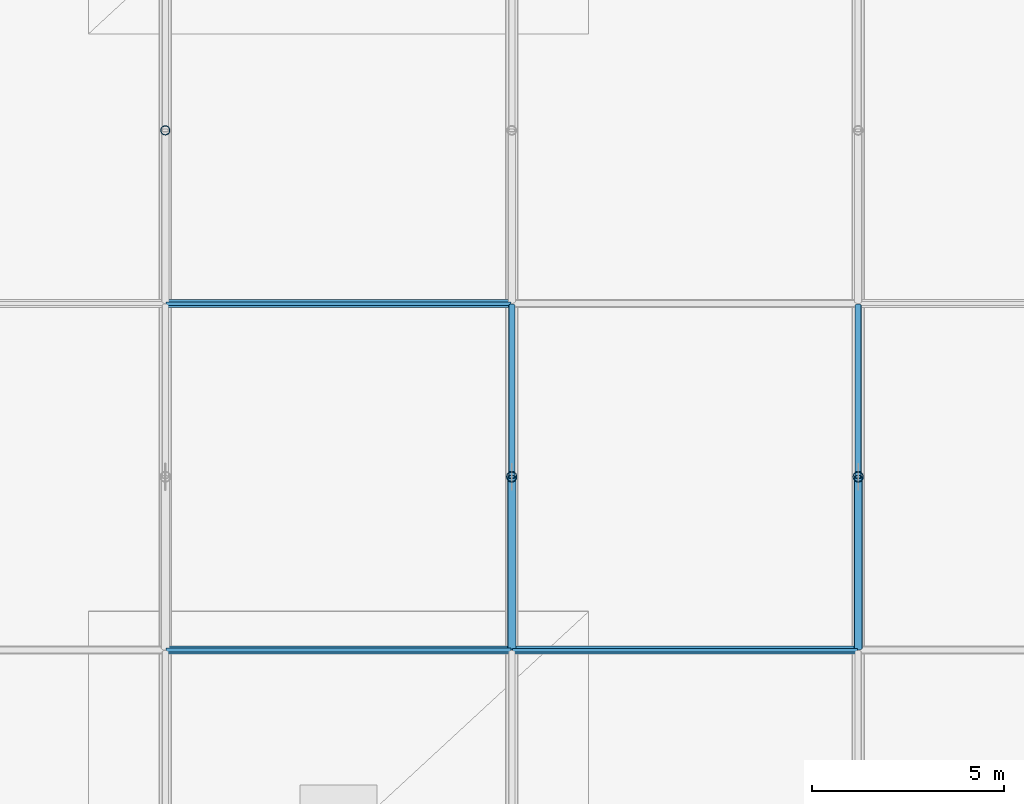
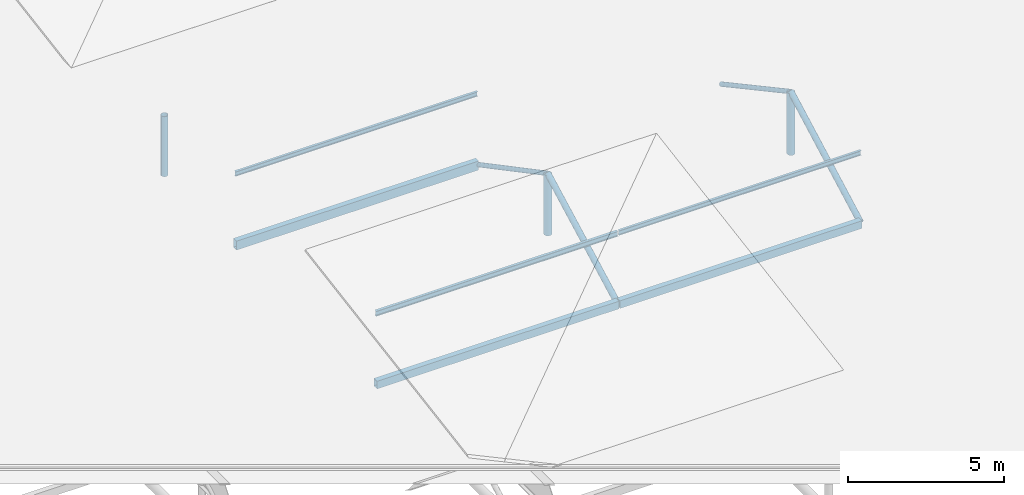
# One storey, part 60 of 196: 13 members.
"""IFC4 building model written with IfcOpenShell, lengths in metres."""

from ifc_helpers import new_model, si_unit, direction, frame, origin, origin_2d, place, context, subcontext, project, spatial, hollow_rectangle, hollow_circle, i_section, extrude, material, material_profile, profile_set, type_object, element, save


model = new_model("IFC4")

# Units and contexts
model_context = context("Model", 3, precision=1e-05, world=origin(), true_north=direction((0.0, 1.0)))
body_context = subcontext(model_context, "Body", "Model", "MODEL_VIEW")
ifc_project = project(units=[si_unit("LENGTHUNIT", "METRE"), si_unit("AREAUNIT", "SQUARE_METRE"), si_unit("VOLUMEUNIT", "CUBIC_METRE"), si_unit("PLANEANGLEUNIT", "RADIAN"), si_unit("MASSUNIT", "GRAM", prefix="KILO")], contexts=[model_context])

# Site, building, storey
site_placement = place(None, origin())
site = spatial("IfcSite", under=ifc_project, at=site_placement, CompositionType="ELEMENT")
building_placement = place(site_placement, origin())
building = spatial("IfcBuilding", under=site, at=building_placement, Name="Barlavento Convention Centre", CompositionType="ELEMENT")
storey_placement = place(building_placement, frame((0.0, 0.0, 18.0)))
storey = spatial("IfcBuildingStorey", under=building, at=storey_placement, Name="L03", CompositionType="ELEMENT", Elevation=18.0)

# Members
ifc_material = material(Name="Steel S355", Category="steel")
ifc_material_profile_1 = material_profile(ifc_material, hollow_rectangle(XDim=0.199951171875, YDim=0.300048828125, WallThickness=0.012451171875, at=origin_2d()), Name="RHS 300x200x12.5")
ifc_profile_set_1 = profile_set([ifc_material_profile_1], Name="Steel S355")
member_type_1 = type_object("IfcMemberType", Name="STR-MEM-COL-RHS300", PredefinedType="COLLAR", material=ifc_profile_set_1)
for number, where, z_axis, x_axis, name in (
    (1, (45.02001953125, 81.0, -3.199951171875), (1.0, 0.0, 0.0), (0.0, 1.0, 0.0), "Exhibition space frame transverse chord"),
    (2, (54.02001953125, 81.0, -3.199951171875), (1.0, 0.0, 0.0), (0.0, 1.0, 0.0), "Exhibition space frame transverse chord"),
):
    element("IfcMember", number, at=place(storey_placement, frame(where, z_axis=z_axis, x_axis=x_axis)), inside=storey, type_object=member_type_1, Name=name, PredefinedType="COLLAR", context=body_context, shape_type="SweptSolid", body=[
        extrude(hollow_rectangle(XDim=0.199951171875, YDim=0.300048828125, WallThickness=0.012451171875, at=origin_2d()), origin(), (0.0, 0.0, 1.0), 8.9599609375),
    ])
ifc_material_profile_2 = material_profile(ifc_material, hollow_rectangle(XDim=0.199951171875, YDim=0.35009765625, WallThickness=0.012451171875, at=origin_2d()), Name="RHS 350x200x12.5")
ifc_profile_set_2 = profile_set([ifc_material_profile_2], Name="Steel S355")
member_type_2 = type_object("IfcMemberType", Name="STR-MEM-COL-RHS350", PredefinedType="COLLAR", material=ifc_profile_set_2)
member_1_placement = place(storey_placement, frame((45.02001953125, 90.0, -3.199951171875), z_axis=(1.0, 0.0, 0.0), x_axis=(0.0, 1.0, 0.0)))
element("IfcMember", 3, at=member_1_placement, inside=storey, type_object=member_type_2, Name="Exhibition space frame transverse chord", PredefinedType="COLLAR", context=body_context, shape_type="SweptSolid", body=[
    extrude(hollow_rectangle(XDim=0.199951171875, YDim=0.35009765625, WallThickness=0.012451171875, at=origin_2d()), origin(), (0.0, 0.0, 1.0), 8.9599609375),
])
ifc_material_profile_3 = material_profile(ifc_material, hollow_circle(Radius=0.084228515625, WallThickness=0.010009765625, at=origin_2d()), Name="CHS 168.3x10.0")
ifc_profile_set_3 = profile_set([ifc_material_profile_3], Name="Steel S355")
member_type_3 = type_object("IfcMemberType", Name="STR-MEM-DIAG-CHS168", PredefinedType="POST", material=ifc_profile_set_3)
member_2_placement = place(storey_placement, frame((54.0, 85.5, -0.844970703125), z_axis=(0.0, 0.883859857229, -0.467751806816), x_axis=(-1.0, 0.0, 0.0)))
element("IfcMember", 4, at=member_2_placement, inside=storey, type_object=member_type_3, Name="Exhibition space frame web diagonal", PredefinedType="POST", context=body_context, shape_type="SweptSolid", body=[
    extrude(hollow_circle(Radius=0.084228515625, WallThickness=0.010009765625, at=origin_2d()), origin(), (0.0, 0.0, 1.0), 5.03466796875),
])
member_3_placement = place(storey_placement, frame((63.0, 85.5, -0.794921875), z_axis=(0.0, 0.879735433057, -0.475463529437), x_axis=(-1.0, 0.0, 0.0)))
element("IfcMember", 5, at=member_3_placement, inside=storey, type_object=member_type_3, Name="Exhibition space frame web diagonal", PredefinedType="POST", context=body_context, shape_type="SweptSolid", body=[
    extrude(hollow_circle(Radius=0.084228515625, WallThickness=0.010009765625, at=origin_2d()), origin(), (0.0, 0.0, 1.0), 5.058349609375),
])
ifc_material_profile_4 = material_profile(ifc_material, hollow_circle(Radius=0.109619140625, WallThickness=0.012451171875, at=origin_2d()), Name="CHS 219.1x12.5")
ifc_profile_set_4 = profile_set([ifc_material_profile_4], Name="Steel S355")
member_type_4 = type_object("IfcMemberType", Name="STR-MEM-DIAG-CHS219", PredefinedType="RAFTER", material=ifc_profile_set_4)
member_4_placement = place(storey_placement, frame((54.0, 81.050048828125, -3.199951171875), z_axis=(0.0, 0.883859857229, 0.467751806816), x_axis=(-1.0, 0.0, 0.0)))
element("IfcMember", 6, at=member_4_placement, inside=storey, type_object=member_type_4, Name="Exhibition space frame web diagonal", PredefinedType="RAFTER", context=body_context, shape_type="SweptSolid", body=[
    extrude(hollow_circle(Radius=0.109619140625, WallThickness=0.012451171875, at=origin_2d()), origin(), (0.0, 0.0, 1.0), 5.03466796875),
])
member_5_placement = place(storey_placement, frame((63.0, 81.050048828125, -3.199951171875), z_axis=(0.0, 0.879735433057, 0.475463529437), x_axis=(-1.0, 0.0, 0.0)))
element("IfcMember", 7, at=member_5_placement, inside=storey, type_object=member_type_4, Name="Exhibition space frame web diagonal", PredefinedType="RAFTER", context=body_context, shape_type="SweptSolid", body=[
    extrude(hollow_circle(Radius=0.109619140625, WallThickness=0.012451171875, at=origin_2d()), origin(), (0.0, 0.0, 1.0), 5.058349609375),
])
ifc_material_profile_5 = material_profile(ifc_material, i_section(OverallWidth=0.091064453125, OverallDepth=0.179931640625, WebThickness=0.00537109375, FlangeThickness=0.008056640625, FilletRadius=0.009033203125, at=origin_2d()), Name="IPE 180")
ifc_profile_set_5 = profile_set([ifc_material_profile_5], Name="Steel S355")
member_type_5 = type_object("IfcMemberType", Name="STR-MEM-PUR-IPE180", PredefinedType="PURLIN", material=ifc_profile_set_5)
for number, where, z_axis, x_axis, name in (
    (8, (54.02001953125, 81.0, -0.43505859375), (1.0, 0.0, 0.0), (0.0, 1.0, 0.0), "Exhibition roof purlin"),
    (9, (45.02001953125, 90.0, -0.43505859375), (1.0, 0.0, 0.0), (0.0, 1.0, 0.0), "Exhibition roof purlin"),
):
    element("IfcMember", number, at=place(storey_placement, frame(where, z_axis=z_axis, x_axis=x_axis)), inside=storey, type_object=member_type_5, Name=name, PredefinedType="PURLIN", context=body_context, shape_type="SweptSolid", body=[
        extrude(i_section(OverallWidth=0.091064453125, OverallDepth=0.179931640625, WebThickness=0.00537109375, FlangeThickness=0.008056640625, FilletRadius=0.009033203125, at=origin_2d()), origin(), (0.0, 0.0, 1.0), 8.9599609375),
    ])
ifc_material_profile_6 = material_profile(ifc_material, i_section(OverallWidth=0.10009765625, OverallDepth=0.199951171875, WebThickness=0.005615234375, FlangeThickness=0.008544921875, FilletRadius=0.011962890625, at=origin_2d()), Name="IPE 200")
ifc_profile_set_6 = profile_set([ifc_material_profile_6], Name="Steel S355")
member_type_6 = type_object("IfcMemberType", Name="STR-MEM-PUR-IPE200", PredefinedType="PURLIN", material=ifc_profile_set_6)
member_6_placement = place(storey_placement, frame((45.02001953125, 81.0, -0.445068359375), z_axis=(1.0, 0.0, 0.0), x_axis=(0.0, 1.0, 0.0)))
element("IfcMember", 10, at=member_6_placement, inside=storey, type_object=member_type_6, Name="Exhibition roof purlin", PredefinedType="PURLIN", context=body_context, shape_type="SweptSolid", body=[
    extrude(i_section(OverallWidth=0.10009765625, OverallDepth=0.199951171875, WebThickness=0.005615234375, FlangeThickness=0.008544921875, FilletRadius=0.011962890625, at=origin_2d()), origin(), (0.0, 0.0, 1.0), 8.9599609375),
])
ifc_material_profile_7 = material_profile(ifc_material, hollow_circle(Radius=0.122314453125, WallThickness=0.012451171875, at=origin_2d()), Name="CHS 244.5x12.5")
ifc_profile_set_7 = profile_set([ifc_material_profile_7], Name="Steel S355")
member_type_7 = type_object("IfcMemberType", Name="STR-MEM-STRUT-CHS244", PredefinedType="STRUT", material=ifc_profile_set_7)
member_7_placement = place(storey_placement, frame((45.0, 94.5, -3.199951171875), z_axis=(0.0, 0.0, 1.0), x_axis=(1.0, 0.0, 0.0)))
element("IfcMember", 11, at=member_7_placement, inside=storey, type_object=member_type_7, Name="Exhibition space frame vertical strut", PredefinedType="STRUT", context=body_context, shape_type="SweptSolid", body=[
    extrude(hollow_circle(Radius=0.122314453125, WallThickness=0.012451171875, at=origin_2d()), origin(), (0.0, 0.0, 1.0), 2.350830078125),
])
ifc_material_profile_8 = material_profile(ifc_material, hollow_circle(Radius=0.136474609375, WallThickness=0.012451171875, at=origin_2d()), Name="CHS 273.0x12.5")
ifc_profile_set_8 = profile_set([ifc_material_profile_8], Name="Steel S355")
member_type_8 = type_object("IfcMemberType", Name="STR-MEM-STRUT-CHS273", PredefinedType="STRUT", material=ifc_profile_set_8)
member_8_placement = place(storey_placement, frame((54.0, 85.5, -3.199951171875), z_axis=(0.0, 0.0, 1.0), x_axis=(1.0, 0.0, 0.0)))
element("IfcMember", 12, at=member_8_placement, inside=storey, type_object=member_type_8, Name="Exhibition space frame vertical strut", PredefinedType="STRUT", context=body_context, shape_type="SweptSolid", body=[
    extrude(hollow_circle(Radius=0.136474609375, WallThickness=0.012451171875, at=origin_2d()), origin(), (0.0, 0.0, 1.0), 2.35498046875),
])
member_9_placement = place(storey_placement, frame((63.0, 85.5, -3.199951171875), z_axis=(0.0, 0.0, 1.0), x_axis=(1.0, 0.0, 0.0)))
element("IfcMember", 13, at=member_9_placement, inside=storey, type_object=member_type_8, Name="Exhibition space frame vertical strut", PredefinedType="STRUT", context=body_context, shape_type="SweptSolid", body=[
    extrude(hollow_circle(Radius=0.136474609375, WallThickness=0.012451171875, at=origin_2d()), origin(), (0.0, 0.0, 1.0), 2.405029296875),
])

save(model, "model.ifc")
